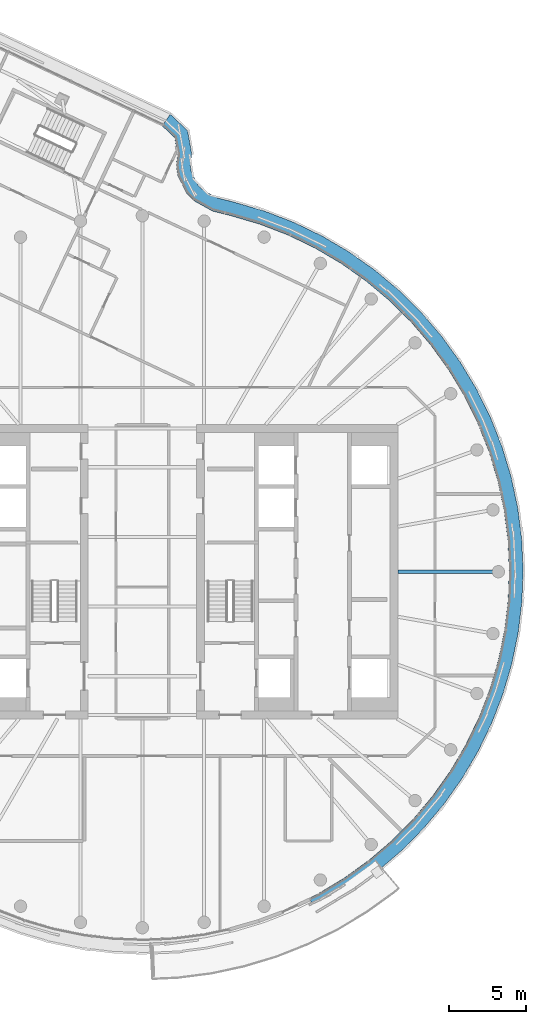
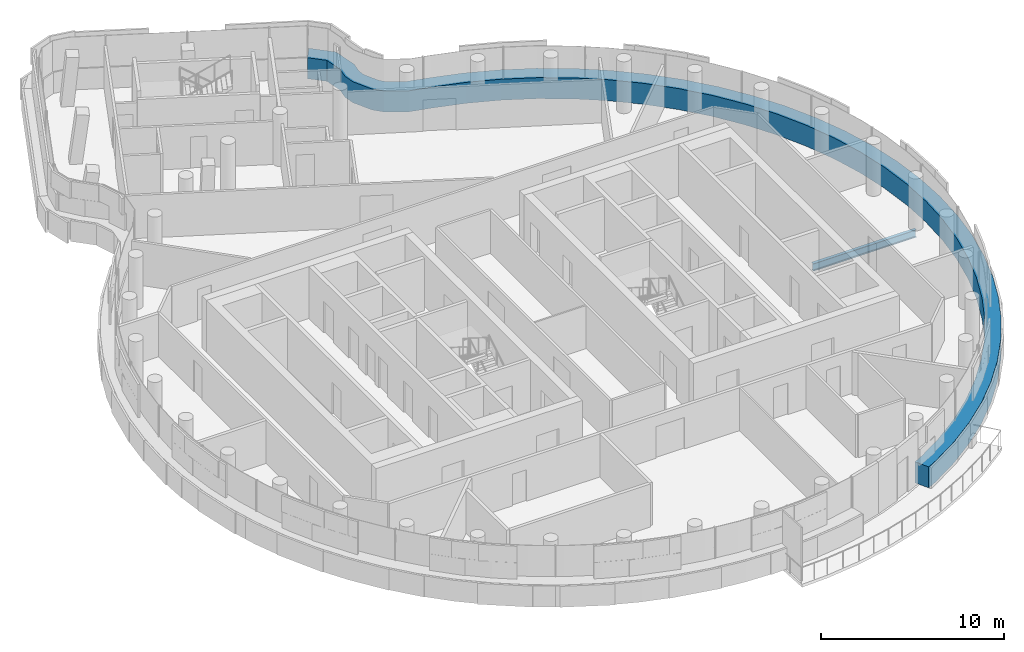
# One storey, part 7 of 21: 1 beam, 1 member, 1 element without a shape of its own.
"""IFC4 building model written with IfcOpenShell, lengths in metres."""

from ifc_helpers import new_model, si_unit, direction, frame, origin, origin_2d, place, context, subcontext, project, spatial, polyline, i_section, outline, extrude, material, layer, layer_set, material_profile, profile_set, type_object, element, aggregate, save


model = new_model("IFC4")

# Units and contexts
model_context = context("Model", 3, precision=1e-05, world=origin(), true_north=direction((0.0, 1.0)))
body_context = subcontext(model_context, "Body", "Model", "MODEL_VIEW")
ifc_project = project(units=[si_unit("LENGTHUNIT", "METRE"), si_unit("AREAUNIT", "SQUARE_METRE"), si_unit("VOLUMEUNIT", "CUBIC_METRE"), si_unit("PLANEANGLEUNIT", "RADIAN"), si_unit("MASSUNIT", "GRAM", prefix="KILO")], contexts=[model_context])

# Site, building, storey
site_placement = place(None, origin())
site = spatial("IfcSite", under=ifc_project, at=site_placement, CompositionType="ELEMENT")
building_placement = place(site_placement, origin())
building = spatial("IfcBuilding", under=site, at=building_placement, Name="Tamarind Cross Interchange Tower", CompositionType="ELEMENT")
storey_placement = place(building_placement, frame((0.0, 0.0, 267.60009765625)))
storey = spatial("IfcBuildingStorey", under=building, at=storey_placement, Name="L68", CompositionType="ELEMENT", Elevation=267.60009765625)

# Beam
ifc_material_1 = material(Name="Steel Q355B", Category="steel")
ifc_material_profile = material_profile(ifc_material_1, i_section(OverallWidth=0.198974609375, OverallDepth=0.49609375, WebThickness=0.009033203125, FlangeThickness=0.013916015625, FilletRadius=0.012939453125, at=origin_2d()), Name="HN 496x199x9x14")
ifc_profile_set = profile_set([ifc_material_profile], Name="Steel Q355B")
beam_type = type_object("IfcBeamType", Name="Composite beam HN 496x199x9x14 Q355B", PredefinedType="BEAM", material=ifc_profile_set)
beam_placement = place(storey_placement, frame((23.0, 0.0, -0.38818359375), z_axis=(-1.0, 0.0, 0.0), x_axis=(0.0, -1.0, 0.0)))
element("IfcBeam", 1, at=beam_placement, inside=storey, type_object=beam_type, Name="Beam HH00", PredefinedType="BEAM", context=body_context, shape_type="SweptSolid", body=[
    extrude(i_section(OverallWidth=0.198974609375, OverallDepth=0.49609375, WebThickness=0.009033203125, FlangeThickness=0.013916015625, FilletRadius=0.012939453125, at=origin_2d()), origin(), (0.0, 0.0, 1.0), 6.5),
])

# Curtain wall, member
ifc_material_2 = material(Name="Aluminium 6063-T6", Category="aluminium")
ifc_layer = layer(ifc_material_2, 0.139892578125)
ifc_layer_set = layer_set([ifc_layer], Name="Aluminium 6063-T6")
curtain_wall_type = type_object("IfcCurtainWallType", Name="Hotel curtain wall, 4.5 m bays", PredefinedType="NOTDEFINED", material=ifc_layer_set)
curtain_wall_placement = place(storey_placement, origin())
curtain_wall = element("IfcCurtainWall", 2, at=curtain_wall_placement, inside=storey, type_object=curtain_wall_type, Name="CWS-L68-01", PredefinedType="NOTDEFINED")
ifc_material_3 = material(Name="Aluminium and insulated spandrel panel", Category="aluminium")
member_type = type_object("IfcMemberType", Name="Floor-edge blade transom", PredefinedType="USERDEFINED", material=ifc_material_3)
member_placement = place(storey_placement, origin())
member = element("IfcMember", 3, at=member_placement, type_object=member_type, Name="CWT-L68-01-1", ObjectType="TRANSOM", PredefinedType="USERDEFINED", context=body_context, shape_type="SweptSolid", body=[
    extrude(outline(polyline([(10.77783203125, -21.08251953125), (11.367431640625, -20.791015625), (13.045654296875, -19.78125), (14.634521484375, -18.636474609375), (16.12353515625, -17.3642578125), (17.50244140625, -15.973388671875), (18.76171875, -14.4736328125), (19.892822265625, -12.874755859375), (20.88818359375, -11.188232421875), (21.74072265625, -9.425048828125), (22.444580078125, -7.597412109375), (22.995361328125, -5.718017578125), (23.38916015625, -3.799560546875), (23.623046875, -1.855224609375), (23.695556640625, 0.10205078125), (23.606201171875, 2.058349609375), (23.35546875, 4.000732421875), (22.9453125, 5.915771484375), (22.37841796875, 7.790283203125), (21.65869140625, 9.61181640625), (20.791015625, 11.367431640625), (19.78125, 13.045654296875), (18.636474609375, 14.634521484375), (17.3642578125, 16.12353515625), (15.973388671875, 17.50244140625), (14.4736328125, 18.76171875), (12.874755859375, 19.892822265625), (11.188232421875, 20.88818359375), (9.425048828125, 21.74072265625), (7.597412109375, 22.444580078125), (5.7119140625, 22.997314453125), (4.5458984375, 23.28857421875), (3.314697265625, 23.97314453125), (2.85205078125, 24.457275390625), (2.28955078125, 25.587158203125), (2.181884765625, 26.248291015625), (2.281494140625, 26.9580078125), (2.08642578125, 28.04296875), (1.285888671875, 28.800537109375), (1.799560546875, 29.55322265625), (2.919921875, 28.493408203125), (3.19287109375, 26.9755859375), (3.092041015625, 26.258056640625), (3.156005859375, 25.8662109375), (3.596923828125, 24.98046875), (3.87109375, 24.693359375), (4.87939453125, 24.133056640625), (5.94775390625, 23.865966796875), (7.88623046875, 23.2978515625), (9.783203125, 22.567138671875), (11.613525390625, 21.68212890625), (13.3642578125, 20.64892578125), (15.023681640625, 19.474853515625), (16.580810546875, 18.167724609375), (18.0244140625, 16.736572265625), (19.344970703125, 15.19091796875), (20.533203125, 13.54150390625), (21.581298828125, 11.799560546875), (22.482177734375, 9.97705078125), (23.229248046875, 8.08642578125), (23.817626953125, 6.140625), (24.243408203125, 4.15283203125), (24.50341796875, 2.13671875), (24.59619140625, 0.10595703125), (24.52099609375, -1.925537109375), (24.2783203125, -3.944091796875), (23.86962890625, -5.935302734375), (23.2978515625, -7.88623046875), (22.567138671875, -9.783203125), (21.68212890625, -11.613525390625), (20.64892578125, -13.3642578125), (19.474853515625, -15.023681640625), (18.167724609375, -16.580810546875), (16.736572265625, -18.0244140625), (15.19091796875, -19.344970703125), (13.54150390625, -20.533203125), (11.799560546875, -21.581298828125), (11.1875, -21.8837890625), (10.77783203125, -21.08251953125)])), origin(), (0.0, 0.0, 1.0), 1.39990234375),
])
aggregate(curtain_wall, [member])

save(model, "model.ifc")
